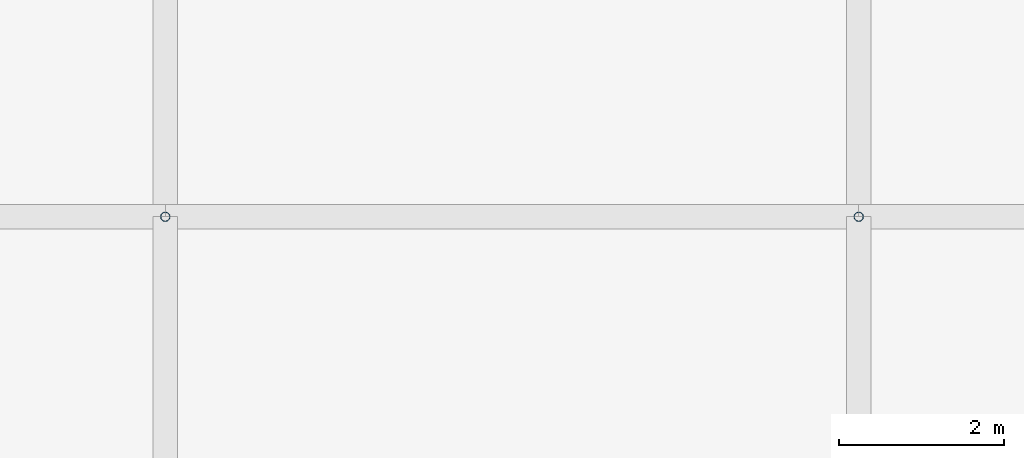
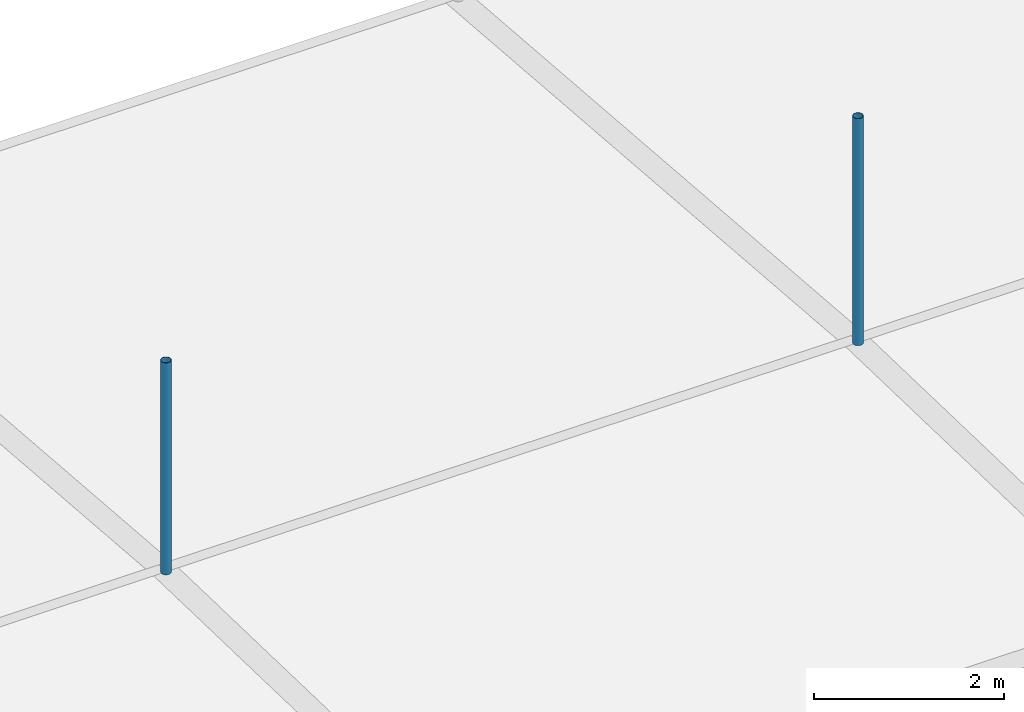
# One storey, part 12 of 37: 2 discrete accessories.
"""IFC4 building model written with IfcOpenShell, lengths in metres."""

import ifcopenshell
import ifcopenshell.guid

model = None  # the IFC model being written
_history = None  # IfcOwnerHistory: only IFC2X3 demands one
_inside = {}  # id of a spatial element -> (the spatial element, [elements in it])
_under = {}  # id of a project, library or spatial element -> (it, [spatial elements below it])
_declared = {}  # id of a project -> (the project, [libraries it declares])
_typed = {}  # id of a type object -> (the type object, [elements of that type])
_made_of = {}  # id of a material, layer set ... -> (it, [elements and type objects made of it])


def new_model(schema):
    """Start an empty IFC model of exactly this schema.

    Asked for "IFC4X3", IfcOpenShell would pick the latest addendum, in which some entities
    have other attributes; the version numbers below select the first issue.
    IFC2X3 requires an IfcOwnerHistory on every rooted entity: one is made here for all.
    """
    global model, _history
    if schema == "IFC4X3":
        model = ifcopenshell.file(schema_version=(4, 3, 0, 0))
    else:
        model = ifcopenshell.file(schema=schema)
    _inside.clear()
    _under.clear()
    _declared.clear()
    _typed.clear()
    _made_of.clear()
    _history = None
    if model.schema == "IFC2X3":
        org = make("IfcOrganization", Name="unknown")
        user = make(
            "IfcPersonAndOrganization",
            ThePerson=make("IfcPerson", FamilyName="unknown"),
            TheOrganization=org,
        )
        app = make(
            "IfcApplication",
            ApplicationDeveloper=org,
            Version="unknown",
            ApplicationFullName="unknown",
            ApplicationIdentifier="unknown",
        )
        _history = make(
            "IfcOwnerHistory",
            OwningUser=user,
            OwningApplication=app,
            ChangeAction="ADDED",
            CreationDate=0,
        )
    return model


def make(cls, **values):
    """One entity of the class cls with the attributes given. An attribute that is None is left unset."""
    return model.create_entity(
        cls, **{name: value for name, value in values.items() if value is not None}
    )


def rooted(cls, **values):
    """An entity with a GlobalId (a new one), such as an element, a storey or a relation."""
    return make(cls, GlobalId=ifcopenshell.guid.new(), OwnerHistory=_history, **values)


def si_unit(unit_type, name, prefix=None):
    """IfcSIUnit, for example si_unit("LENGTHUNIT", "METRE", prefix="MILLI")."""
    return make("IfcSIUnit", UnitType=unit_type, Prefix=prefix, Name=name)


def assignment(units):
    """IfcUnitAssignment: the units of a project."""
    return None if units is None else make("IfcUnitAssignment", Units=units)


def point(xyz):
    """IfcCartesianPoint."""
    return None if xyz is None else make("IfcCartesianPoint", Coordinates=xyz)


def direction(xyz):
    """IfcDirection."""
    return None if xyz is None else make("IfcDirection", DirectionRatios=xyz)


def frame(location, z_axis=None, x_axis=None):
    """IfcAxis2Placement3D, a coordinate frame: its origin and axes. An axis left out is left unset."""
    return make(
        "IfcAxis2Placement3D",
        Location=point(location),
        Axis=direction(z_axis),
        RefDirection=direction(x_axis),
    )


def frame_2d(location, x_axis=None):
    """IfcAxis2Placement2D, a coordinate frame in the plane: its origin and x axis."""
    return make(
        "IfcAxis2Placement2D", Location=point(location), RefDirection=direction(x_axis)
    )


def origin():
    """The frame at (0, 0, 0) with its axes left unset."""
    return frame((0.0, 0.0, 0.0))


def origin_2d():
    """The frame at (0, 0) in the plane with its x axis left unset."""
    return frame_2d((0.0, 0.0))


def place(relative_to, where):
    """IfcLocalPlacement: puts the frame where relative to a parent placement (None: the world)."""
    return make(
        "IfcLocalPlacement", PlacementRelTo=relative_to, RelativePlacement=where
    )


def context(
    kind, dimensions, precision=None, world=None, true_north=None, identifier=None
):
    """IfcGeometricRepresentationContext, for example the 3D "Model" context."""
    return make(
        "IfcGeometricRepresentationContext",
        ContextIdentifier=identifier,
        ContextType=kind,
        CoordinateSpaceDimension=dimensions,
        Precision=precision,
        WorldCoordinateSystem=world,
        TrueNorth=true_north,
    )


def subcontext(parent, identifier, kind, view, scale=None):
    """IfcGeometricRepresentationSubContext, for example "Body" below "Model"."""
    return make(
        "IfcGeometricRepresentationSubContext",
        ContextIdentifier=identifier,
        ContextType=kind,
        ParentContext=parent,
        TargetScale=scale,
        TargetView=view,
    )


def project(units=None, contexts=None):
    """IfcProject with its units and contexts."""
    return rooted(
        "IfcProject",
        Name="project",
        RepresentationContexts=contexts,
        UnitsInContext=assignment(units),
    )


def spatial(cls, under=None, at=None, **own):
    """A site, building, storey or space (cls), placed at a placement, below another one or the project."""
    s = rooted(cls, ObjectPlacement=at, **own)
    if under is not None:
        _under.setdefault(under.id(), (under, []))[1].append(s)
    return s


def profile(cls, at=None, kind="AREA", **sizes):
    """A parametric profile (cls). Its sizes go by their IFC names, for example OverallWidth=200.0."""
    return make(cls, ProfileType=kind, Position=at, **sizes)


def hollow_circle(**sizes):
    """IfcCircleHollowProfileDef."""
    return profile("IfcCircleHollowProfileDef", **sizes)


def extrude(swept, where, along, depth):
    """IfcExtrudedAreaSolid: the profile swept, set in the frame where, extruded along a direction by depth."""
    return make(
        "IfcExtrudedAreaSolid",
        SweptArea=swept,
        Position=where,
        ExtrudedDirection=direction(along),
        Depth=depth,
    )


def shape(context_of_items, identifier, shape_type, items):
    """IfcShapeRepresentation: the items that make up one representation, for example the "Body"."""
    return make(
        "IfcShapeRepresentation",
        ContextOfItems=context_of_items,
        RepresentationIdentifier=identifier,
        RepresentationType=shape_type,
        Items=items,
    )


def material(Name=None, Category=None):
    """IfcMaterial."""
    return make("IfcMaterial", Name=Name, Category=Category)


def material_profile(
    of_material, cross_section, Name=None, Category=None, Priority=None
):
    """IfcMaterialProfile: a cross section and its material."""
    return make(
        "IfcMaterialProfile",
        Name=Name,
        Material=of_material,
        Profile=cross_section,
        Priority=Priority,
        Category=Category,
    )


def profile_set(profiles, Name=None, composite=None):
    """IfcMaterialProfileSet."""
    return make(
        "IfcMaterialProfileSet",
        Name=Name,
        MaterialProfiles=profiles,
        CompositeProfile=composite,
    )


def made_of(thing, what):
    """Note that an element or type object is made of a material, layer set ...; save() writes the relation."""
    if what is not None:
        _made_of.setdefault(what.id(), (what, []))[1].append(thing)
    return thing


def type_object(cls, material=None, **own):
    """A type object (cls), such as IfcWallType, which elements share."""
    return made_of(rooted(cls, **own), material)


def element(
    cls,
    number,
    at=None,
    inside=None,
    cuts=None,
    type_object=None,
    material=None,
    context=None,
    identifier="Body",
    shape_type=None,
    held_by="IfcProductDefinitionShape",
    body=None,
    shapes=None,
    **own,
):
    """One element of the class cls, such as IfcWall. Its Tag is "e" and its number.

    at: its placement. inside: the storey or other place that contains it. cuts: it is an
    opening in that element (IfcRelVoidsElement). A single representation is given by context,
    identifier, shape_type and body (its items); several are given by shapes. held_by: the class
    of the entity that holds the representations. save() writes the other relations.
    """
    e = rooted(cls, Tag="e%d" % number, ObjectPlacement=at, **own)
    if body is not None:
        shapes = [shape(context, identifier, shape_type, body)]
    if shapes is not None:
        e.Representation = make(held_by, Representations=shapes)
    if inside is not None:
        _inside.setdefault(inside.id(), (inside, []))[1].append(e)
    if cuts is not None:
        rooted(
            "IfcRelVoidsElement", RelatingBuildingElement=cuts, RelatedOpeningElement=e
        )
    if type_object is not None:
        _typed.setdefault(type_object.id(), (type_object, []))[1].append(e)
    return made_of(e, material)


def aggregate(whole, parts):
    """IfcRelAggregates: a whole, such as a stair, and the parts it consists of."""
    return rooted("IfcRelAggregates", RelatingObject=whole, RelatedObjects=parts)


def save(model, path):
    """Write the relations noted so far, then the file.

    IfcRelAggregates (storeys below a building ...), IfcRelContainedInSpatialStructure (elements
    in a storey), IfcRelDefinesByType, IfcRelAssociatesMaterial and IfcRelDeclares: one each for
    every whole, place, type object, material and project.
    """
    for whole, parts in _under.values():
        aggregate(whole, parts)
    for where, things in _inside.values():
        rooted(
            "IfcRelContainedInSpatialStructure",
            RelatedElements=things,
            RelatingStructure=where,
        )
    for kind, things in _typed.values():
        rooted("IfcRelDefinesByType", RelatedObjects=things, RelatingType=kind)
    for what, things in _made_of.values():
        rooted("IfcRelAssociatesMaterial", RelatedObjects=things, RelatingMaterial=what)
    for by, libraries in _declared.values():
        rooted("IfcRelDeclares", RelatingContext=by, RelatedDefinitions=libraries)
    model.write(path)


model = new_model("IFC4")

# Units and contexts
model_context = context("Model", 3, precision=1e-05, world=origin(), true_north=direction((0.0, 1.0)))
body_context = subcontext(model_context, "Body", "Model", "MODEL_VIEW")
ifc_project = project(units=[si_unit("LENGTHUNIT", "METRE"), si_unit("AREAUNIT", "SQUARE_METRE"), si_unit("VOLUMEUNIT", "CUBIC_METRE"), si_unit("PLANEANGLEUNIT", "RADIAN"), si_unit("MASSUNIT", "GRAM", prefix="KILO")], contexts=[model_context])

# Site, building, storey
site_placement = place(None, origin())
site = spatial("IfcSite", under=ifc_project, at=site_placement, CompositionType="ELEMENT")
building_placement = place(site_placement, origin())
building = spatial("IfcBuilding", under=site, at=building_placement, Name="Rain Tree Exposition and Congress Centre", CompositionType="ELEMENT")
storey_placement = place(building_placement, frame((0.0, 0.0, 25.0)))
storey = spatial("IfcBuildingStorey", under=building, at=storey_placement, Name="ROOF VAULT LOW", CompositionType="ELEMENT", Elevation=25.0)

# Discrete accessories
ifc_material = material(Name="Steel S355J2H", Category="steel")
ifc_material_profile = material_profile(ifc_material, hollow_circle(Radius=0.05712890625, WallThickness=0.00439453125, at=origin_2d()), Name="CHS 114x4.5")
ifc_profile_set = profile_set([ifc_material_profile], Name="Steel S355J2H")
discrete_accessory_type = type_object("IfcDiscreteAccessoryType", Name="Roof skin post CHS 114x4.5", PredefinedType="BRACKET", material=ifc_profile_set)
discrete_accessory_1_placement = place(storey_placement, frame((25.199951171875, 159.60009765625, 1.1728515625), z_axis=(0.0, 0.0, 1.0), x_axis=(1.0, 0.0, 0.0)))
element("IfcDiscreteAccessory", 1, at=discrete_accessory_1_placement, inside=storey, type_object=discrete_accessory_type, Name="Roof skin post A108", PredefinedType="BRACKET", context=body_context, shape_type="SweptSolid", body=[
    extrude(hollow_circle(Radius=0.05712890625, WallThickness=0.00439453125, at=origin_2d()), origin(), (0.0, 0.0, 1.0), 2.719970703125),
])
discrete_accessory_2_placement = place(storey_placement, frame((33.60009765625, 159.60009765625, 1.1728515625), z_axis=(0.0, 0.0, 1.0), x_axis=(1.0, 0.0, 0.0)))
element("IfcDiscreteAccessory", 2, at=discrete_accessory_2_placement, inside=storey, type_object=discrete_accessory_type, Name="Roof skin post A109", PredefinedType="BRACKET", context=body_context, shape_type="SweptSolid", body=[
    extrude(hollow_circle(Radius=0.05712890625, WallThickness=0.00439453125, at=origin_2d()), origin(), (0.0, 0.0, 1.0), 2.9140625),
])

save(model, "model.ifc")
